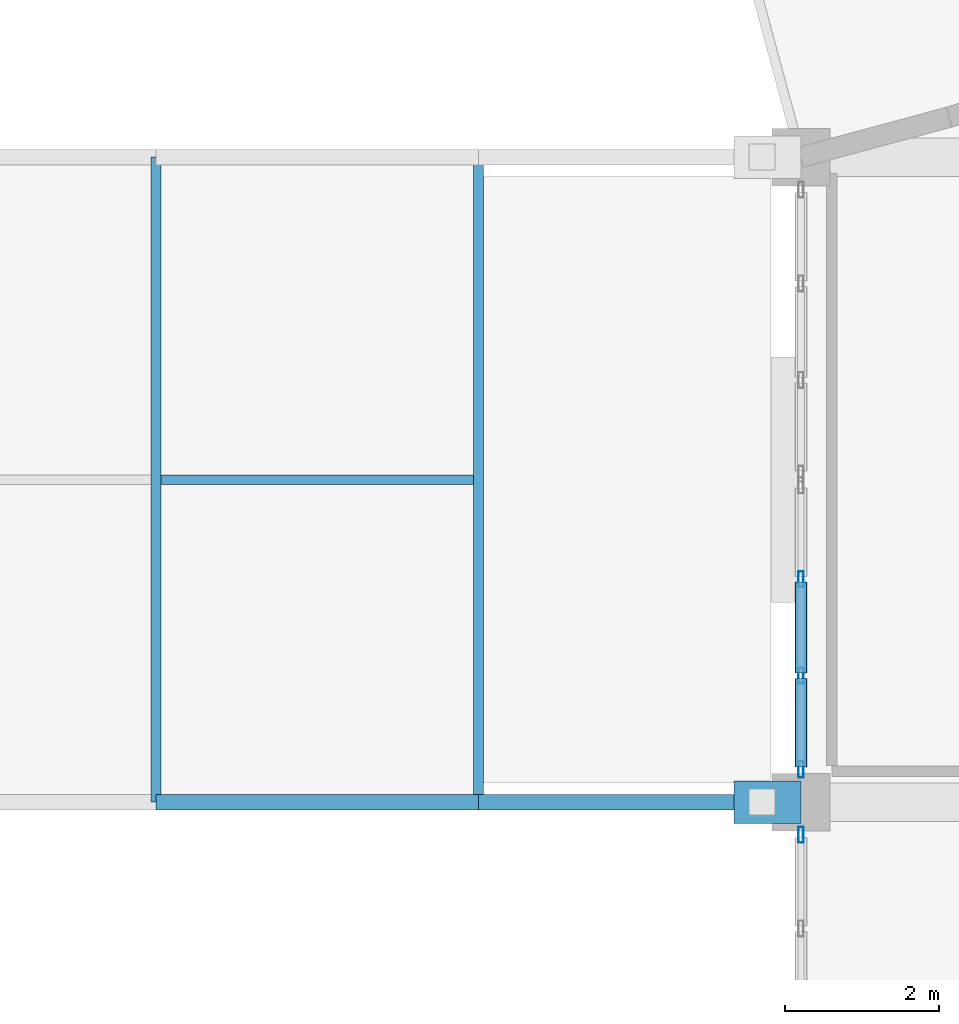
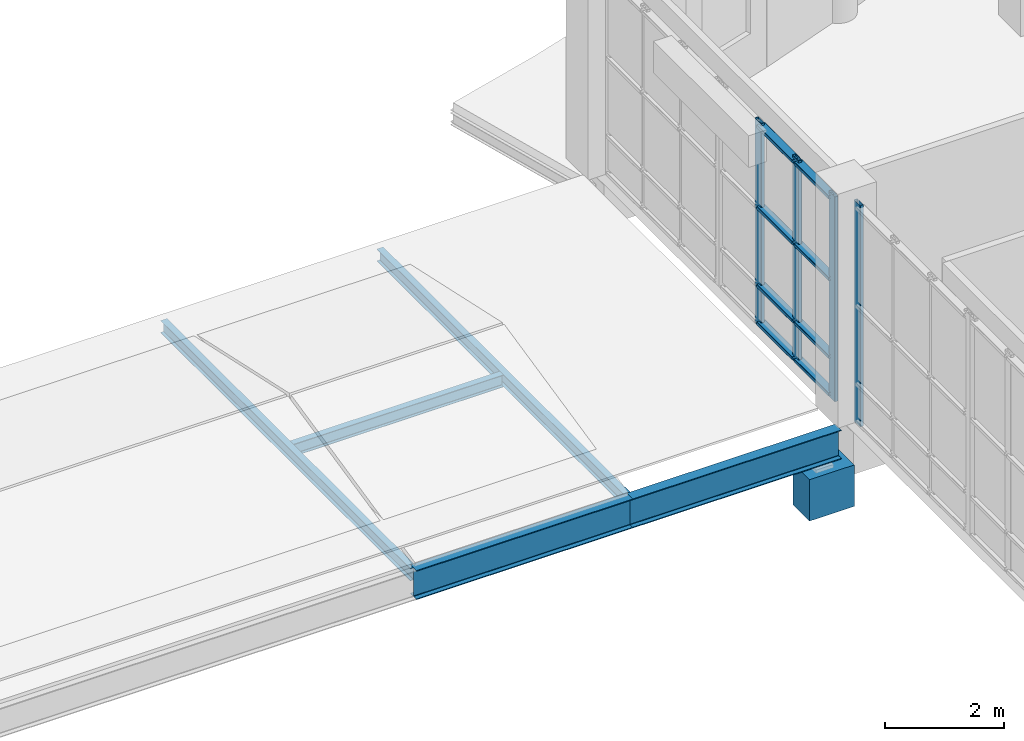
# One storey, part 19 of 106: 12 members, 6 beams, 2 elements without a shape of their own.
"""IFC4 building model written with IfcOpenShell, lengths in metres."""

from ifc_helpers import new_model, si_unit, direction, frame, origin, origin_2d, place, context, subcontext, project, spatial, rectangle, hollow_rectangle, i_section, extrude, material, layer, layer_set, material_profile, profile_set, type_object, element, aggregate, save


model = new_model("IFC4")

# Units and contexts
model_context = context("Model", 3, precision=1e-05, world=origin(), true_north=direction((0.0, 1.0)))
body_context = subcontext(model_context, "Body", "Model", "MODEL_VIEW")
ifc_project = project(units=[si_unit("LENGTHUNIT", "METRE"), si_unit("AREAUNIT", "SQUARE_METRE"), si_unit("VOLUMEUNIT", "CUBIC_METRE"), si_unit("PLANEANGLEUNIT", "RADIAN"), si_unit("MASSUNIT", "GRAM", prefix="KILO")], contexts=[model_context])

# Site, building, storey
site_placement = place(None, origin())
site = spatial("IfcSite", under=ifc_project, at=site_placement, CompositionType="ELEMENT")
building_placement = place(site_placement, origin())
building = spatial("IfcBuilding", under=site, at=building_placement, Name="Kisaragi Civic Commons", CompositionType="ELEMENT")
storey_placement = place(building_placement, frame((0.0, 0.0, 4.800048828125)))
storey = spatial("IfcBuildingStorey", under=building, at=storey_placement, Name="L01", CompositionType="ELEMENT", Elevation=4.800048828125)

# Beam
ifc_material_1 = material(Name="Concrete Fc36", Category="concrete")
ifc_material_profile_1 = material_profile(ifc_material_1, rectangle(XDim=0.550048828125, YDim=0.85009765625, at=origin_2d()), Name="RC-550x850", Category="concrete")
ifc_profile_set_1 = profile_set([ifc_material_profile_1], Name="Concrete Fc36")
beam_type_1 = type_object("IfcBeamType", Name="CB-01", PredefinedType="BEAM", material=ifc_profile_set_1)
beam_1_placement = place(storey_placement, frame((105.60009765625, 8.39990234375, -1.3701171875), z_axis=(-1.0, 0.0, 0.0), x_axis=(0.0, -1.0, 0.0)))
element("IfcBeam", 1, at=beam_1_placement, inside=storey, type_object=beam_type_1, Name="BR-V1-V3 L01 seismic corbel 213", PredefinedType="BEAM", context=body_context, shape_type="SweptSolid", body=[
    extrude(rectangle(XDim=0.550048828125, YDim=0.85009765625, at=origin_2d()), origin(), (0.0, 0.0, 1.0), 0.8701171875),
])

# Curtain wall, member
ifc_material_2 = material(Name="Thermally broken anodized aluminium and low-E double glazing", Category="aluminium")
ifc_layer = layer(ifc_material_2, 0.2099609375, Name="Thermally broken anodized aluminium and low-E double glazing", Category="aluminium")
ifc_layer_set = layer_set([ifc_layer], Name="Thermally broken anodized aluminium and low-E double glazing")
curtain_wall_type = type_object("IfcCurtainWallType", Name="CW-02", PredefinedType="NOTDEFINED", material=ifc_layer_set)
curtain_wall_1_placement = place(storey_placement, origin())
curtain_wall_1 = element("IfcCurtainWall", 2, at=curtain_wall_1_placement, inside=storey, type_object=curtain_wall_type, Name="L01 curtain wall CW-02 CW-V3-L01-036", PredefinedType="NOTDEFINED")
ifc_material_profile_2 = material_profile(ifc_material_2, hollow_rectangle(XDim=0.070068359375, YDim=0.2099609375, WallThickness=0.0048828125, InnerFilletRadius=0.0048828125, OuterFilletRadius=0.010009765625, at=origin_2d()), Name="CWM-70x210x5", Category="aluminium")
ifc_profile_set_2 = profile_set([ifc_material_profile_2], Name="Thermally broken anodized aluminium and low-E double glazing")
member_type_1 = type_object("IfcMemberType", Name="CWM-03", PredefinedType="MULLION", material=ifc_profile_set_2)
member_1_placement = place(storey_placement, frame((105.60009765625, 7.97509765625, 0.0), z_axis=(0.0, 0.0, 1.0), x_axis=(-1.0, 0.0, 0.0)))
member_1 = element("IfcMember", 3, at=member_1_placement, type_object=member_type_1, Name="CW-02 mullion 4", PredefinedType="MULLION", context=body_context, shape_type="SweptSolid", body=[
    extrude(hollow_rectangle(XDim=0.070068359375, YDim=0.2099609375, WallThickness=0.0048828125, InnerFilletRadius=0.0048828125, OuterFilletRadius=0.010009765625, at=origin_2d()), origin(), (0.0, 0.0, 1.0), 4.5400390625),
])
aggregate(curtain_wall_1, [member_1])

# Curtain wall, members
curtain_wall_2_placement = place(storey_placement, origin())
curtain_wall_2 = element("IfcCurtainWall", 4, at=curtain_wall_2_placement, inside=storey, type_object=curtain_wall_type, Name="L01 curtain wall CW-02 CW-V3-L01-037", PredefinedType="NOTDEFINED")
member_2_placement = place(storey_placement, frame((105.60009765625, 8.824951171875, 0.0), z_axis=(0.0, 0.0, 1.0), x_axis=(-1.0, 0.0, 0.0)))
member_2 = element("IfcMember", 5, at=member_2_placement, type_object=member_type_1, Name="CW-02 mullion 1", PredefinedType="MULLION", context=body_context, shape_type="SweptSolid", body=[
    extrude(hollow_rectangle(XDim=0.070068359375, YDim=0.2099609375, WallThickness=0.0048828125, InnerFilletRadius=0.0048828125, OuterFilletRadius=0.010009765625, at=origin_2d()), origin(), (0.0, 0.0, 1.0), 4.204833984375),
])
member_3_placement = place(storey_placement, frame((105.60009765625, 10.046630859375, 0.0), z_axis=(0.0, 0.0, 1.0), x_axis=(-1.0, 0.0, 0.0)))
member_3 = element("IfcMember", 6, at=member_3_placement, type_object=member_type_1, Name="CW-02 mullion 2", PredefinedType="MULLION", context=body_context, shape_type="SweptSolid", body=[
    extrude(hollow_rectangle(XDim=0.070068359375, YDim=0.2099609375, WallThickness=0.0048828125, InnerFilletRadius=0.0048828125, OuterFilletRadius=0.010009765625, at=origin_2d()), origin(), (0.0, 0.0, 1.0), 4.204833984375),
])
member_4_placement = place(storey_placement, frame((105.60009765625, 11.30322265625, 0.0), z_axis=(0.0, 0.0, 1.0), x_axis=(-1.0, 0.0, 0.0)))
member_4 = element("IfcMember", 7, at=member_4_placement, type_object=member_type_1, Name="CW-02 mullion 3", PredefinedType="MULLION", context=body_context, shape_type="SweptSolid", body=[
    extrude(hollow_rectangle(XDim=0.070068359375, YDim=0.2099609375, WallThickness=0.0048828125, InnerFilletRadius=0.0048828125, OuterFilletRadius=0.010009765625, at=origin_2d()), origin(), (0.0, 0.0, 1.0), 4.204833984375),
])
ifc_material_profile_3 = material_profile(ifc_material_2, hollow_rectangle(XDim=0.159912109375, YDim=0.070068359375, WallThickness=0.0048828125, InnerFilletRadius=0.0048828125, OuterFilletRadius=0.010009765625, at=origin_2d()), Name="CWT-70x160x5", Category="aluminium")
ifc_profile_set_3 = profile_set([ifc_material_profile_3], Name="Thermally broken anodized aluminium and low-E double glazing")
member_type_2 = type_object("IfcMemberType", Name="CWT-03", PredefinedType="USERDEFINED", material=ifc_profile_set_3)
member_5_placement = place(storey_placement, frame((105.60009765625, 8.860107421875, 0.079833984375), z_axis=(0.0, 1.0, 0.0), x_axis=(-1.0, 0.0, 0.0)))
member_5 = element("IfcMember", 8, at=member_5_placement, type_object=member_type_2, Name="CW-02 transom 1.1", ObjectType="TRANSOM", PredefinedType="USERDEFINED", context=body_context, shape_type="SweptSolid", body=[
    extrude(hollow_rectangle(XDim=0.159912109375, YDim=0.070068359375, WallThickness=0.0048828125, InnerFilletRadius=0.0048828125, OuterFilletRadius=0.010009765625, at=origin_2d()), origin(), (0.0, 0.0, 1.0), 1.151611328125),
])
member_6_placement = place(storey_placement, frame((105.60009765625, 8.860107421875, 0.849853515625), z_axis=(0.0, 1.0, 0.0), x_axis=(-1.0, 0.0, 0.0)))
member_6 = element("IfcMember", 9, at=member_6_placement, type_object=member_type_2, Name="CW-02 transom 1.2", ObjectType="TRANSOM", PredefinedType="USERDEFINED", context=body_context, shape_type="SweptSolid", body=[
    extrude(hollow_rectangle(XDim=0.159912109375, YDim=0.070068359375, WallThickness=0.0048828125, InnerFilletRadius=0.0048828125, OuterFilletRadius=0.010009765625, at=origin_2d()), origin(), (0.0, 0.0, 1.0), 1.151611328125),
])
member_7_placement = place(storey_placement, frame((105.60009765625, 8.860107421875, 2.449951171875), z_axis=(0.0, 1.0, 0.0), x_axis=(-1.0, 0.0, 0.0)))
member_7 = element("IfcMember", 10, at=member_7_placement, type_object=member_type_2, Name="CW-02 transom 1.3", ObjectType="TRANSOM", PredefinedType="USERDEFINED", context=body_context, shape_type="SweptSolid", body=[
    extrude(hollow_rectangle(XDim=0.159912109375, YDim=0.070068359375, WallThickness=0.0048828125, InnerFilletRadius=0.0048828125, OuterFilletRadius=0.010009765625, at=origin_2d()), origin(), (0.0, 0.0, 1.0), 1.151611328125),
])
member_8_placement = place(storey_placement, frame((105.60009765625, 8.860107421875, 4.125), z_axis=(0.0, 1.0, 0.0), x_axis=(-1.0, 0.0, 0.0)))
member_8 = element("IfcMember", 11, at=member_8_placement, type_object=member_type_2, Name="CW-02 transom 1.4", ObjectType="TRANSOM", PredefinedType="USERDEFINED", context=body_context, shape_type="SweptSolid", body=[
    extrude(hollow_rectangle(XDim=0.159912109375, YDim=0.070068359375, WallThickness=0.0048828125, InnerFilletRadius=0.0048828125, OuterFilletRadius=0.010009765625, at=origin_2d()), origin(), (0.0, 0.0, 1.0), 1.151611328125),
])
member_9_placement = place(storey_placement, frame((105.60009765625, 10.081787109375, 0.079833984375), z_axis=(0.0, 1.0, 0.0), x_axis=(-1.0, 0.0, 0.0)))
member_9 = element("IfcMember", 12, at=member_9_placement, type_object=member_type_2, Name="CW-02 transom 2.1", ObjectType="TRANSOM", PredefinedType="USERDEFINED", context=body_context, shape_type="SweptSolid", body=[
    extrude(hollow_rectangle(XDim=0.159912109375, YDim=0.070068359375, WallThickness=0.0048828125, InnerFilletRadius=0.0048828125, OuterFilletRadius=0.010009765625, at=origin_2d()), origin(), (0.0, 0.0, 1.0), 1.1865234375),
])
member_10_placement = place(storey_placement, frame((105.60009765625, 10.081787109375, 0.849853515625), z_axis=(0.0, 1.0, 0.0), x_axis=(-1.0, 0.0, 0.0)))
member_10 = element("IfcMember", 13, at=member_10_placement, type_object=member_type_2, Name="CW-02 transom 2.2", ObjectType="TRANSOM", PredefinedType="USERDEFINED", context=body_context, shape_type="SweptSolid", body=[
    extrude(hollow_rectangle(XDim=0.159912109375, YDim=0.070068359375, WallThickness=0.0048828125, InnerFilletRadius=0.0048828125, OuterFilletRadius=0.010009765625, at=origin_2d()), origin(), (0.0, 0.0, 1.0), 1.1865234375),
])
member_11_placement = place(storey_placement, frame((105.60009765625, 10.081787109375, 2.449951171875), z_axis=(0.0, 1.0, 0.0), x_axis=(-1.0, 0.0, 0.0)))
member_11 = element("IfcMember", 14, at=member_11_placement, type_object=member_type_2, Name="CW-02 transom 2.3", ObjectType="TRANSOM", PredefinedType="USERDEFINED", context=body_context, shape_type="SweptSolid", body=[
    extrude(hollow_rectangle(XDim=0.159912109375, YDim=0.070068359375, WallThickness=0.0048828125, InnerFilletRadius=0.0048828125, OuterFilletRadius=0.010009765625, at=origin_2d()), origin(), (0.0, 0.0, 1.0), 1.1865234375),
])
member_12_placement = place(storey_placement, frame((105.60009765625, 10.081787109375, 4.125), z_axis=(0.0, 1.0, 0.0), x_axis=(-1.0, 0.0, 0.0)))
member_12 = element("IfcMember", 15, at=member_12_placement, type_object=member_type_2, Name="CW-02 transom 2.4", ObjectType="TRANSOM", PredefinedType="USERDEFINED", context=body_context, shape_type="SweptSolid", body=[
    extrude(hollow_rectangle(XDim=0.159912109375, YDim=0.070068359375, WallThickness=0.0048828125, InnerFilletRadius=0.0048828125, OuterFilletRadius=0.010009765625, at=origin_2d()), origin(), (0.0, 0.0, 1.0), 1.1865234375),
])
aggregate(curtain_wall_2, [member_2, member_3, member_4, member_5, member_6, member_7, member_8, member_9, member_10, member_11, member_12])

# Beams
ifc_material_3 = material(Name="Steel SN490 (SN490B)", Category="steel")
ifc_material_profile_4 = material_profile(ifc_material_3, i_section(OverallWidth=0.199951171875, OverallDepth=0.60009765625, WebThickness=0.010986328125, FlangeThickness=0.01708984375, FilletRadius=0.012939453125, at=origin_2d()), Name="H-600x200x11x17", Category="steel")
ifc_profile_set_4 = profile_set([ifc_material_profile_4], Name="Steel SN490 (SN490B)")
beam_type_2 = type_object("IfcBeamType", Name="G-10", PredefinedType="BEAM", material=ifc_profile_set_4)
beam_2_placement = place(storey_placement, frame((97.199951171875, 8.39990234375, -0.580078125), z_axis=(1.0, 0.0, 0.0), x_axis=(0.0, 1.0, 0.0)))
element("IfcBeam", 16, at=beam_2_placement, inside=storey, type_object=beam_type_2, Name="BR-V1-V3 L01 bridge girder 211", PredefinedType="BEAM", context=body_context, shape_type="SweptSolid", body=[
    extrude(i_section(OverallWidth=0.199951171875, OverallDepth=0.60009765625, WebThickness=0.010986328125, FlangeThickness=0.01708984375, FilletRadius=0.012939453125, at=origin_2d()), origin(), (0.0, 0.0, 1.0), 4.199951171875),
])
beam_3_placement = place(storey_placement, frame((101.39990234375, 8.39990234375, -0.580078125), z_axis=(1.0, 0.0, 0.0), x_axis=(0.0, 1.0, 0.0)))
element("IfcBeam", 17, at=beam_3_placement, inside=storey, type_object=beam_type_2, Name="BR-V1-V3 L01 bridge girder 212", PredefinedType="BEAM", context=body_context, shape_type="SweptSolid", body=[
    extrude(i_section(OverallWidth=0.199951171875, OverallDepth=0.60009765625, WebThickness=0.010986328125, FlangeThickness=0.01708984375, FilletRadius=0.012939453125, at=origin_2d()), origin(), (0.0, 0.0, 1.0), 4.050048828125),
])
ifc_material_4 = material(Name="Steel SN400 (SN400B)", Category="steel")
ifc_material_profile_5 = material_profile(ifc_material_4, i_section(OverallWidth=0.125, OverallDepth=0.25, WebThickness=0.006103515625, FlangeThickness=0.009033203125, FilletRadius=0.008056640625, at=origin_2d()), Name="H-250x125x6x9", Category="steel")
ifc_profile_set_5 = profile_set([ifc_material_profile_5], Name="Steel SN400 (SN400B)")
beam_type_3 = type_object("IfcBeamType", Name="J-05", PredefinedType="JOIST", material=ifc_profile_set_5)
for number, where, z_axis, x_axis, name in (
    (18, (97.199951171875, 8.39990234375, -0.405029296875), (0.0, 1.0, 0.0), (-1.0, 0.0, 0.0), "BR-V1-V3 L01 cross joist 230"),
    (19, (101.39990234375, 8.39990234375, -0.405029296875), (0.0, 1.0, 0.0), (-1.0, 0.0, 0.0), "BR-V1-V3 L01 cross joist 231"),
):
    element("IfcBeam", number, at=place(storey_placement, frame(where, z_axis=z_axis, x_axis=x_axis)), inside=storey, type_object=beam_type_3, Name=name, PredefinedType="JOIST", context=body_context, shape_type="SweptSolid", body=[
        extrude(i_section(OverallWidth=0.125, OverallDepth=0.25, WebThickness=0.006103515625, FlangeThickness=0.009033203125, FilletRadius=0.008056640625, at=origin_2d()), origin(), (0.0, 0.0, 1.0), 8.400146484375),
    ])
beam_4_placement = place(storey_placement, frame((97.262451171875, 12.60009765625, -0.405029296875), z_axis=(1.0, 0.0, 0.0), x_axis=(0.0, 1.0, 0.0)))
element("IfcBeam", 20, at=beam_4_placement, inside=storey, type_object=beam_type_3, Name="BR-V1-V3 L01 spine joist 238", PredefinedType="JOIST", context=body_context, shape_type="SweptSolid", body=[
    extrude(i_section(OverallWidth=0.125, OverallDepth=0.25, WebThickness=0.006103515625, FlangeThickness=0.009033203125, FilletRadius=0.008056640625, at=origin_2d()), origin(), (0.0, 0.0, 1.0), 4.074951171875),
])

save(model, "model.ifc")
